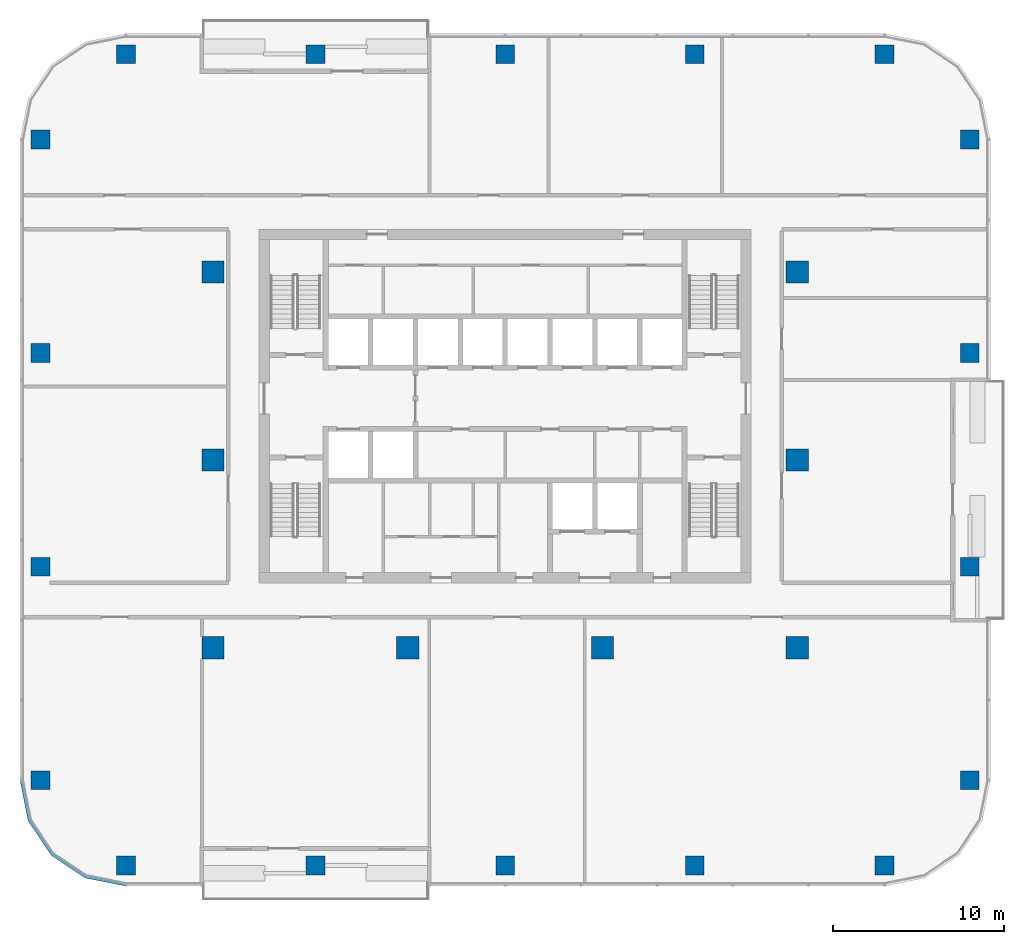
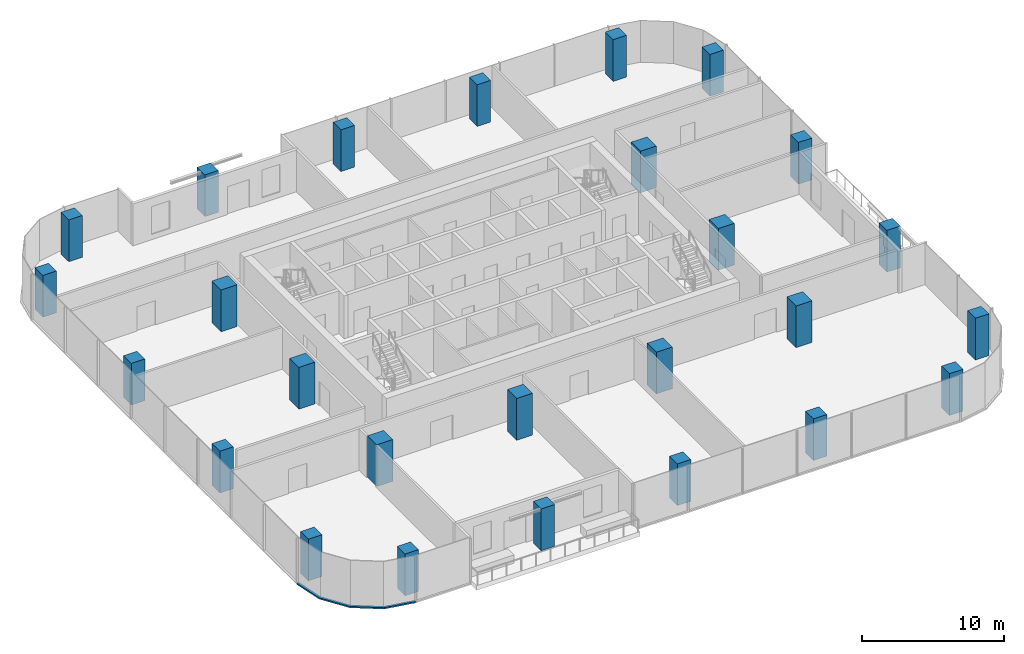
# One storey, part 1 of 14: 26 columns, 1 member, 1 element without a shape of its own.
"""IFC4 building model written with IfcOpenShell, lengths in metres."""

from ifc_helpers import new_model, si_unit, direction, frame, origin, origin_2d, place, context, subcontext, project, spatial, polyline, rectangle, outline, extrude, material, material_profile, profile_set, type_object, element, aggregate, save


model = new_model("IFC4")

# Units and contexts
model_context = context("Model", 3, precision=1e-05, world=origin(), true_north=direction((0.0, 1.0)))
body_context = subcontext(model_context, "Body", "Model", "MODEL_VIEW")
ifc_project = project(units=[si_unit("LENGTHUNIT", "METRE"), si_unit("AREAUNIT", "SQUARE_METRE"), si_unit("VOLUMEUNIT", "CUBIC_METRE"), si_unit("PLANEANGLEUNIT", "RADIAN"), si_unit("MASSUNIT", "GRAM", prefix="KILO")], contexts=[model_context])

# Site, building, storey
site_placement = place(None, origin())
site = spatial("IfcSite", under=ifc_project, at=site_placement, CompositionType="ELEMENT")
building_placement = place(site_placement, origin())
building = spatial("IfcBuilding", under=site, at=building_placement, Name="Mopane Tessera Tower", CompositionType="ELEMENT")
storey_placement = place(building_placement, frame((0.0, 0.0, 215.0)))
storey = spatial("IfcBuildingStorey", under=building, at=storey_placement, Name="L45", CompositionType="ELEMENT", Elevation=215.0)

# Columns
ifc_material_1 = material(Name="Concrete C50/60", Category="concrete")
ifc_material_profile_1 = material_profile(ifc_material_1, rectangle(XDim=1.300048828125, YDim=1.300048828125, at=origin_2d()))
ifc_profile_set_1 = profile_set([ifc_material_profile_1], Name="Concrete C50/60")
column_type_1 = type_object("IfcColumnType", Name="Interior column 1300 x 1300 C50/60", PredefinedType="COLUMN", material=ifc_profile_set_1)
for number, where, z_axis, x_axis, name in (
    (1, (-17.10009765625, -11.0, 0.0), (0.0, 0.0, 1.0), (1.0, 0.0, 0.0), "Interior column I1A L45"),
    (2, (-17.10009765625, 0.0, 0.0), (0.0, 0.0, 1.0), (1.0, 0.0, 0.0), "Interior column I1B L45"),
    (3, (-17.10009765625, 11.0, 0.0), (0.0, 0.0, 1.0), (1.0, 0.0, 0.0), "Interior column I1C L45"),
    (4, (-5.699951171875, -11.0, 0.0), (0.0, 0.0, 1.0), (1.0, 0.0, 0.0), "Interior column I2A L45"),
    (5, (5.699951171875, -11.0, 0.0), (0.0, 0.0, 1.0), (1.0, 0.0, 0.0), "Interior column I3A L45"),
    (6, (17.10009765625, -11.0, 0.0), (0.0, 0.0, 1.0), (1.0, 0.0, 0.0), "Interior column I4A L45"),
    (7, (17.10009765625, 0.0, 0.0), (0.0, 0.0, 1.0), (1.0, 0.0, 0.0), "Interior column I4B L45"),
    (8, (17.10009765625, 11.0, 0.0), (0.0, 0.0, 1.0), (1.0, 0.0, 0.0), "Interior column I4C L45"),
):
    element("IfcColumn", number, at=place(storey_placement, frame(where, z_axis=z_axis, x_axis=x_axis)), inside=storey, type_object=column_type_1, Name=name, PredefinedType="COLUMN", context=body_context, shape_type="SweptSolid", body=[
        extrude(rectangle(XDim=1.300048828125, YDim=1.300048828125, at=origin_2d()), origin(), (0.0, 0.0, 1.0), 3.60009765625),
    ])
ifc_material_2 = material(Name="Concrete C50/60", Category="concrete")
ifc_material_profile_2 = material_profile(ifc_material_2, rectangle(XDim=1.10009765625, YDim=1.10009765625, at=origin_2d()))
ifc_profile_set_2 = profile_set([ifc_material_profile_2], Name="Concrete C50/60")
column_type_2 = type_object("IfcColumnType", Name="Ring column 1100 x 1100 C50/60", PredefinedType="COLUMN", material=ifc_profile_set_2)
for number, where, z_axis, x_axis, name in (
    (9, (-22.199951171875, -23.75, 0.0), (0.0, 0.0, 1.0), (1.0, 0.0, 0.0), "Ring column S0 L45"),
    (10, (-11.10009765625, -23.75, 0.0), (0.0, 0.0, 1.0), (1.0, 0.0, 0.0), "Ring column S1 L45"),
    (11, (0.0, -23.75, 0.0), (0.0, 0.0, 1.0), (1.0, 0.0, 0.0), "Ring column S2 L45"),
    (12, (11.10009765625, -23.75, 0.0), (0.0, 0.0, 1.0), (1.0, 0.0, 0.0), "Ring column S3 L45"),
    (13, (22.199951171875, -23.75, 0.0), (0.0, 0.0, 1.0), (1.0, 0.0, 0.0), "Ring column S4 L45"),
    (14, (27.199951171875, -18.75, 0.0), (0.0, 0.0, 1.0), (1.0, 0.0, 0.0), "Ring column E0 L45"),
    (15, (27.199951171875, -6.25, 0.0), (0.0, 0.0, 1.0), (1.0, 0.0, 0.0), "Ring column E1 L45"),
    (16, (27.199951171875, 6.25, 0.0), (0.0, 0.0, 1.0), (1.0, 0.0, 0.0), "Ring column E2 L45"),
    (17, (27.199951171875, 18.75, 0.0), (0.0, 0.0, 1.0), (1.0, 0.0, 0.0), "Ring column E3 L45"),
    (18, (22.199951171875, 23.75, 0.0), (0.0, 0.0, 1.0), (1.0, 0.0, 0.0), "Ring column N0 L45"),
    (19, (11.10009765625, 23.75, 0.0), (0.0, 0.0, 1.0), (1.0, 0.0, 0.0), "Ring column N1 L45"),
    (20, (0.0, 23.75, 0.0), (0.0, 0.0, 1.0), (1.0, 0.0, 0.0), "Ring column N2 L45"),
    (21, (-11.10009765625, 23.75, 0.0), (0.0, 0.0, 1.0), (1.0, 0.0, 0.0), "Ring column N3 L45"),
    (22, (-22.199951171875, 23.75, 0.0), (0.0, 0.0, 1.0), (1.0, 0.0, 0.0), "Ring column N4 L45"),
    (23, (-27.199951171875, 18.75, 0.0), (0.0, 0.0, 1.0), (1.0, 0.0, 0.0), "Ring column W0 L45"),
    (24, (-27.199951171875, 6.25, 0.0), (0.0, 0.0, 1.0), (1.0, 0.0, 0.0), "Ring column W1 L45"),
    (25, (-27.199951171875, -6.25, 0.0), (0.0, 0.0, 1.0), (1.0, 0.0, 0.0), "Ring column W2 L45"),
    (26, (-27.199951171875, -18.75, 0.0), (0.0, 0.0, 1.0), (1.0, 0.0, 0.0), "Ring column W3 L45"),
):
    element("IfcColumn", number, at=place(storey_placement, frame(where, z_axis=z_axis, x_axis=x_axis)), inside=storey, type_object=column_type_2, Name=name, PredefinedType="COLUMN", context=body_context, shape_type="SweptSolid", body=[
        extrude(rectangle(XDim=1.10009765625, YDim=1.10009765625, at=origin_2d()), origin(), (0.0, 0.0, 1.0), 3.60009765625),
    ])

# Curtain wall, member
ifc_material_3 = material(Name="Aluminium frame", Category="aluminium")
curtain_wall_type = type_object("IfcCurtainWallType", Name="Unitised curtain wall", PredefinedType="NOTDEFINED", material=ifc_material_3)
curtain_wall_placement = place(storey_placement, origin())
curtain_wall = element("IfcCurtainWall", 27, at=curtain_wall_placement, inside=storey, type_object=curtain_wall_type, Name="e:cw:L45:CW", PredefinedType="NOTDEFINED")
ifc_material_4 = material(Name="Aluminium frame", Category="aluminium")
ifc_material_profile_3 = material_profile(ifc_material_4, rectangle(XDim=0.199951171875, YDim=0.1201171875, at=origin_2d()))
ifc_profile_set_3 = profile_set([ifc_material_profile_3], Name="Aluminium frame")
member_type = type_object("IfcMemberType", Name="Aluminium transom 200 x 120", PredefinedType="USERDEFINED", material=ifc_profile_set_3)
member_placement = place(storey_placement, frame((0.0, 0.0, -0.39990234375)))
member = element("IfcMember", 28, at=member_placement, type_object=member_type, Name="e:cw:L45:CW:tr", ObjectType="TRANSOM", PredefinedType="USERDEFINED", context=body_context, shape_type="SweptSolid", body=[
    extrude(outline(polyline([(-28.199951171875, -18.75), (-27.7431640625, -21.046142578125), (-26.442626953125, -22.99267578125), (-24.49609375, -24.293212890625), (-22.199951171875, -24.75), (-22.199951171875, -24.949951171875), (-24.57275390625, -24.47802734375), (-26.583984375, -23.134033203125), (-27.927978515625, -21.12255859375), (-28.39990234375, -18.75), (-28.199951171875, -18.75)])), origin(), (0.0, 0.0, 1.0), 0.119873046875),
])
aggregate(curtain_wall, [member])

save(model, "model.ifc")
